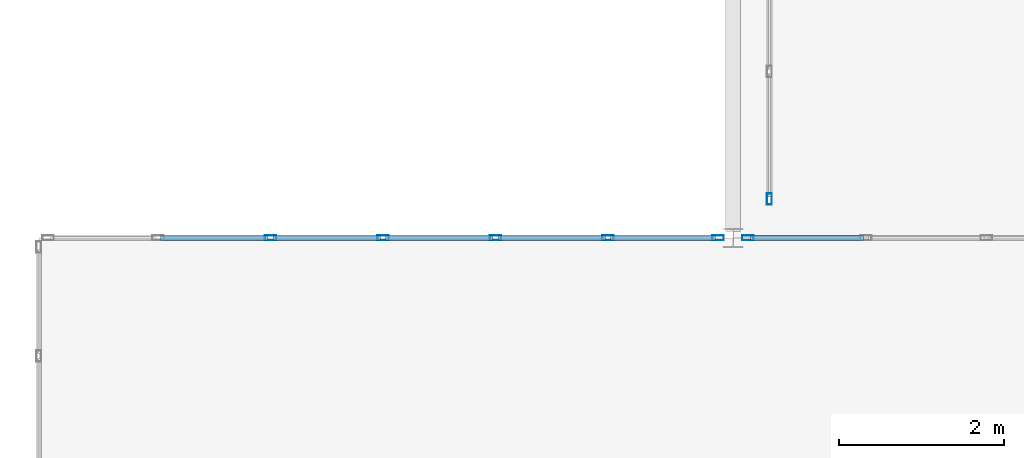
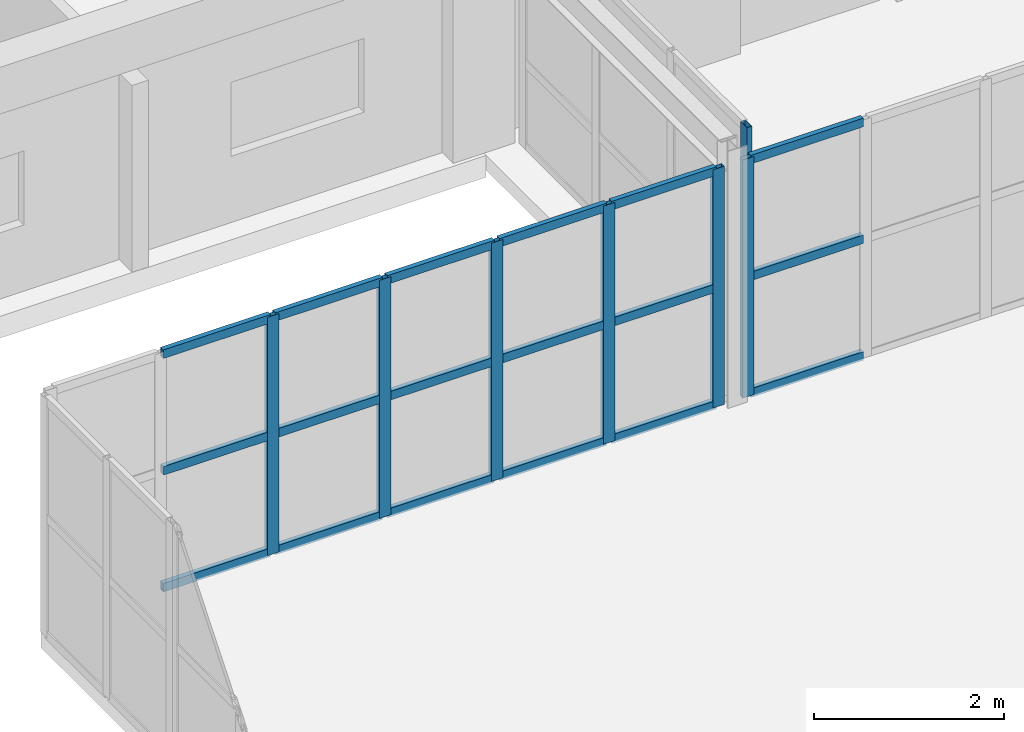
# One storey, part 114 of 200: 25 members, 3 elements without a shape of their own.
"""IFC4 building model written with IfcOpenShell, lengths in metres."""

from ifc_helpers import new_model, si_unit, direction, frame, origin, origin_2d, place, context, subcontext, project, spatial, hollow_rectangle, extrude, material, layer, layer_set, material_profile, profile_set, type_object, element, aggregate, save


model = new_model("IFC4")

# Units and contexts
model_context = context("Model", 3, precision=1e-05, world=origin(), true_north=direction((0.0, 1.0)))
body_context = subcontext(model_context, "Body", "Model", "MODEL_VIEW")
ifc_project = project(units=[si_unit("LENGTHUNIT", "METRE"), si_unit("AREAUNIT", "SQUARE_METRE"), si_unit("VOLUMEUNIT", "CUBIC_METRE"), si_unit("PLANEANGLEUNIT", "RADIAN"), si_unit("MASSUNIT", "GRAM", prefix="KILO")], contexts=[model_context])

# Site, building, storey
site_placement = place(None, origin())
site = spatial("IfcSite", under=ifc_project, at=site_placement, CompositionType="ELEMENT")
building_placement = place(site_placement, origin())
building = spatial("IfcBuilding", under=site, at=building_placement, Name="Trelvath General Hospital", CompositionType="ELEMENT")
storey_placement = place(building_placement, frame((0.0, 0.0, 4.800048828125)))
storey = spatial("IfcBuildingStorey", under=building, at=storey_placement, Name="L01", CompositionType="ELEMENT", Elevation=4.800048828125)

# Curtain wall, members
ifc_material_1 = material(Name="Anodised aluminium and low-E glass", Category="aluminium")
ifc_layer_1 = layer(ifc_material_1, 0.14990234375)
ifc_layer_set_1 = layer_set([ifc_layer_1], Name="Anodised aluminium and low-E glass")
curtain_wall_type_1 = type_object("IfcCurtainWallType", Name="CW CrystalCube 817 306 15", PredefinedType="USERDEFINED", material=ifc_layer_set_1)
curtain_wall_1_placement = place(storey_placement, origin())
curtain_wall_1 = element("IfcCurtainWall", 1, at=curtain_wall_1_placement, inside=storey, type_object=curtain_wall_type_1, Name="Crystal Cube Curtain Wall CUBE-E-T0 N1 L01", ObjectType="Unitised Glazed Curtain Wall", PredefinedType="USERDEFINED")
ifc_material_2 = material(Name="Anodised aluminium", Category="aluminium")
ifc_material_profile_1 = material_profile(ifc_material_2, hollow_rectangle(XDim=0.06005859375, YDim=0.139892578125, WallThickness=0.00390625, at=origin_2d()), Name="RHS60x140x4")
ifc_profile_set_1 = profile_set([ifc_material_profile_1], Name="Anodised aluminium")
member_type_1 = type_object("IfcMemberType", Name="CurtainMullion 60x140", PredefinedType="MULLION", material=ifc_profile_set_1)
member_1_placement = place(storey_placement, frame((95.203369140625, 86.800048828125, 0.0), z_axis=(0.0, 0.0, 1.0), x_axis=(0.0, 1.0, 0.0)))
member_1 = element("IfcMember", 2, at=member_1_placement, type_object=member_type_1, Name="CW-155 mullion 3", PredefinedType="MULLION", context=body_context, shape_type="SweptSolid", body=[
    extrude(hollow_rectangle(XDim=0.06005859375, YDim=0.139892578125, WallThickness=0.00390625, at=origin_2d()), origin(), (0.0, 0.0, 1.0), 3.06005859375),
])
member_2_placement = place(storey_placement, frame((96.56494140625, 86.800048828125, 0.0), z_axis=(0.0, 0.0, 1.0), x_axis=(0.0, 1.0, 0.0)))
member_2 = element("IfcMember", 3, at=member_2_placement, type_object=member_type_1, Name="CW-155 mullion 4", PredefinedType="MULLION", context=body_context, shape_type="SweptSolid", body=[
    extrude(hollow_rectangle(XDim=0.06005859375, YDim=0.139892578125, WallThickness=0.00390625, at=origin_2d()), origin(), (0.0, 0.0, 1.0), 3.06005859375),
])
member_3_placement = place(storey_placement, frame((97.9267578125, 86.800048828125, 0.0), z_axis=(0.0, 0.0, 1.0), x_axis=(0.0, 1.0, 0.0)))
member_3 = element("IfcMember", 4, at=member_3_placement, type_object=member_type_1, Name="CW-155 mullion 5", PredefinedType="MULLION", context=body_context, shape_type="SweptSolid", body=[
    extrude(hollow_rectangle(XDim=0.06005859375, YDim=0.139892578125, WallThickness=0.00390625, at=origin_2d()), origin(), (0.0, 0.0, 1.0), 3.06005859375),
])
member_4_placement = place(storey_placement, frame((99.288330078125, 86.800048828125, 0.0), z_axis=(0.0, 0.0, 1.0), x_axis=(0.0, 1.0, 0.0)))
member_4 = element("IfcMember", 5, at=member_4_placement, type_object=member_type_1, Name="CW-155 mullion 6", PredefinedType="MULLION", context=body_context, shape_type="SweptSolid", body=[
    extrude(hollow_rectangle(XDim=0.06005859375, YDim=0.139892578125, WallThickness=0.00390625, at=origin_2d()), origin(), (0.0, 0.0, 1.0), 3.06005859375),
])
member_5_placement = place(storey_placement, frame((100.6201171875, 86.800048828125, 0.0), z_axis=(0.0, 0.0, 1.0), x_axis=(0.0, 1.0, 0.0)))
member_5 = element("IfcMember", 6, at=member_5_placement, type_object=member_type_1, Name="CW-155 mullion 7", PredefinedType="MULLION", context=body_context, shape_type="SweptSolid", body=[
    extrude(hollow_rectangle(XDim=0.06005859375, YDim=0.139892578125, WallThickness=0.00390625, at=origin_2d()), origin(), (0.0, 0.0, 1.0), 3.06005859375),
])

# Curtain wall, member
ifc_material_3 = material(Name="Anodised aluminium and low-E glass", Category="aluminium")
ifc_layer_2 = layer(ifc_material_3, 0.14990234375)
ifc_layer_set_2 = layer_set([ifc_layer_2], Name="Anodised aluminium and low-E glass")
curtain_wall_type_2 = type_object("IfcCurtainWallType", Name="CW CrystalCube 583 306 15", PredefinedType="USERDEFINED", material=ifc_layer_set_2)
curtain_wall_2_placement = place(storey_placement, origin())
curtain_wall_2 = element("IfcCurtainWall", 7, at=curtain_wall_2_placement, inside=storey, type_object=curtain_wall_type_2, Name="Crystal Cube Curtain Wall CUBE-E-T0 N2 L01", ObjectType="Unitised Glazed Curtain Wall", PredefinedType="USERDEFINED")
member_6_placement = place(storey_placement, frame((100.97998046875, 86.800048828125, 0.0), z_axis=(0.0, 0.0, 1.0), x_axis=(0.0, 1.0, 0.0)))
member_6 = element("IfcMember", 8, at=member_6_placement, type_object=member_type_1, Name="CW-156 mullion 1", PredefinedType="MULLION", context=body_context, shape_type="SweptSolid", body=[
    extrude(hollow_rectangle(XDim=0.06005859375, YDim=0.139892578125, WallThickness=0.00390625, at=origin_2d()), origin(), (0.0, 0.0, 1.0), 3.06005859375),
])

ifc_material_4 = material(Name="Anodised aluminium and low-E glass", Category="aluminium")
ifc_layer_3 = layer(ifc_material_4, 0.139892578125)
ifc_layer_set_3 = layer_set([ifc_layer_3], Name="Anodised aluminium and low-E glass")
curtain_wall_type_3 = type_object("IfcCurtainWallType", Name="CW Bridge 472 311", PredefinedType="USERDEFINED", material=ifc_layer_set_3)
curtain_wall_3_placement = place(storey_placement, origin())
curtain_wall_3 = element("IfcCurtainWall", 9, at=curtain_wall_3_placement, inside=storey, type_object=curtain_wall_type_3, Name="Glazed Bridge Curtain Wall BRG-N-E W L01", ObjectType="Unitised Glazed Curtain Wall", PredefinedType="USERDEFINED")
member_7_placement = place(storey_placement, frame((101.239990234375, 87.27001953125, 0.0), z_axis=(0.0, 0.0, 1.0), x_axis=(-1.0, 0.0, 0.0)))
member_7 = element("IfcMember", 10, at=member_7_placement, type_object=member_type_1, Name="CW-186 mullion 1", PredefinedType="MULLION", context=body_context, shape_type="SweptSolid", body=[
    extrude(hollow_rectangle(XDim=0.06005859375, YDim=0.139892578125, WallThickness=0.00390625, at=origin_2d()), origin(), (0.0, 0.0, 1.0), 3.10986328125),
])
aggregate(curtain_wall_3, [member_7])

# Member
ifc_material_5 = material(Name="Anodised aluminium", Category="aluminium")
ifc_material_profile_2 = material_profile(ifc_material_5, hollow_rectangle(XDim=0.06005859375, YDim=0.110107421875, WallThickness=0.00390625, at=origin_2d()), Name="RHS60x110x4")
ifc_profile_set_2 = profile_set([ifc_material_profile_2], Name="Anodised aluminium")
member_type_2 = type_object("IfcMemberType", Name="CurtainTransom 60x110", PredefinedType="USERDEFINED", material=ifc_profile_set_2)
member_8_placement = place(storey_placement, frame((93.87158203125, 86.800048828125, 0.030029296875), z_axis=(1.0, 0.0, 0.0), x_axis=(0.0, 1.0, 0.0)))
member_8 = element("IfcMember", 11, at=member_8_placement, type_object=member_type_2, Name="CW-155 transom 2.1", ObjectType="TRANSOM", PredefinedType="USERDEFINED", context=body_context, shape_type="SweptSolid", body=[
    extrude(hollow_rectangle(XDim=0.06005859375, YDim=0.110107421875, WallThickness=0.00390625, at=origin_2d()), origin(), (0.0, 0.0, 1.0), 1.3017578125),
])

member_9_placement = place(storey_placement, frame((93.87158203125, 86.800048828125, 1.530029296875), z_axis=(1.0, 0.0, 0.0), x_axis=(0.0, 1.0, 0.0)))
member_9 = element("IfcMember", 12, at=member_9_placement, type_object=member_type_2, Name="CW-155 transom 2.2", ObjectType="TRANSOM", PredefinedType="USERDEFINED", context=body_context, shape_type="SweptSolid", body=[
    extrude(hollow_rectangle(XDim=0.06005859375, YDim=0.110107421875, WallThickness=0.00390625, at=origin_2d()), origin(), (0.0, 0.0, 1.0), 1.3017578125),
])

member_10_placement = place(storey_placement, frame((93.87158203125, 86.800048828125, 3.030029296875), z_axis=(1.0, 0.0, 0.0), x_axis=(0.0, 1.0, 0.0)))
member_10 = element("IfcMember", 13, at=member_10_placement, type_object=member_type_2, Name="CW-155 transom 2.3", ObjectType="TRANSOM", PredefinedType="USERDEFINED", context=body_context, shape_type="SweptSolid", body=[
    extrude(hollow_rectangle(XDim=0.06005859375, YDim=0.110107421875, WallThickness=0.00390625, at=origin_2d()), origin(), (0.0, 0.0, 1.0), 1.3017578125),
])

member_11_placement = place(storey_placement, frame((95.2333984375, 86.800048828125, 0.030029296875), z_axis=(1.0, 0.0, 0.0), x_axis=(0.0, 1.0, 0.0)))
member_11 = element("IfcMember", 14, at=member_11_placement, type_object=member_type_2, Name="CW-155 transom 3.1", ObjectType="TRANSOM", PredefinedType="USERDEFINED", context=body_context, shape_type="SweptSolid", body=[
    extrude(hollow_rectangle(XDim=0.06005859375, YDim=0.110107421875, WallThickness=0.00390625, at=origin_2d()), origin(), (0.0, 0.0, 1.0), 1.301513671875),
])

member_12_placement = place(storey_placement, frame((95.2333984375, 86.800048828125, 1.530029296875), z_axis=(1.0, 0.0, 0.0), x_axis=(0.0, 1.0, 0.0)))
member_12 = element("IfcMember", 15, at=member_12_placement, type_object=member_type_2, Name="CW-155 transom 3.2", ObjectType="TRANSOM", PredefinedType="USERDEFINED", context=body_context, shape_type="SweptSolid", body=[
    extrude(hollow_rectangle(XDim=0.06005859375, YDim=0.110107421875, WallThickness=0.00390625, at=origin_2d()), origin(), (0.0, 0.0, 1.0), 1.301513671875),
])

member_13_placement = place(storey_placement, frame((95.2333984375, 86.800048828125, 3.030029296875), z_axis=(1.0, 0.0, 0.0), x_axis=(0.0, 1.0, 0.0)))
member_13 = element("IfcMember", 16, at=member_13_placement, type_object=member_type_2, Name="CW-155 transom 3.3", ObjectType="TRANSOM", PredefinedType="USERDEFINED", context=body_context, shape_type="SweptSolid", body=[
    extrude(hollow_rectangle(XDim=0.06005859375, YDim=0.110107421875, WallThickness=0.00390625, at=origin_2d()), origin(), (0.0, 0.0, 1.0), 1.301513671875),
])

member_14_placement = place(storey_placement, frame((96.594970703125, 86.800048828125, 0.030029296875), z_axis=(1.0, 0.0, 0.0), x_axis=(0.0, 1.0, 0.0)))
member_14 = element("IfcMember", 17, at=member_14_placement, type_object=member_type_2, Name="CW-155 transom 4.1", ObjectType="TRANSOM", PredefinedType="USERDEFINED", context=body_context, shape_type="SweptSolid", body=[
    extrude(hollow_rectangle(XDim=0.06005859375, YDim=0.110107421875, WallThickness=0.00390625, at=origin_2d()), origin(), (0.0, 0.0, 1.0), 1.3017578125),
])

member_15_placement = place(storey_placement, frame((96.594970703125, 86.800048828125, 1.530029296875), z_axis=(1.0, 0.0, 0.0), x_axis=(0.0, 1.0, 0.0)))
member_15 = element("IfcMember", 18, at=member_15_placement, type_object=member_type_2, Name="CW-155 transom 4.2", ObjectType="TRANSOM", PredefinedType="USERDEFINED", context=body_context, shape_type="SweptSolid", body=[
    extrude(hollow_rectangle(XDim=0.06005859375, YDim=0.110107421875, WallThickness=0.00390625, at=origin_2d()), origin(), (0.0, 0.0, 1.0), 1.3017578125),
])

member_16_placement = place(storey_placement, frame((96.594970703125, 86.800048828125, 3.030029296875), z_axis=(1.0, 0.0, 0.0), x_axis=(0.0, 1.0, 0.0)))
member_16 = element("IfcMember", 19, at=member_16_placement, type_object=member_type_2, Name="CW-155 transom 4.3", ObjectType="TRANSOM", PredefinedType="USERDEFINED", context=body_context, shape_type="SweptSolid", body=[
    extrude(hollow_rectangle(XDim=0.06005859375, YDim=0.110107421875, WallThickness=0.00390625, at=origin_2d()), origin(), (0.0, 0.0, 1.0), 1.3017578125),
])

member_17_placement = place(storey_placement, frame((97.956787109375, 86.800048828125, 0.030029296875), z_axis=(1.0, 0.0, 0.0), x_axis=(0.0, 1.0, 0.0)))
member_17 = element("IfcMember", 20, at=member_17_placement, type_object=member_type_2, Name="CW-155 transom 5.1", ObjectType="TRANSOM", PredefinedType="USERDEFINED", context=body_context, shape_type="SweptSolid", body=[
    extrude(hollow_rectangle(XDim=0.06005859375, YDim=0.110107421875, WallThickness=0.00390625, at=origin_2d()), origin(), (0.0, 0.0, 1.0), 1.301513671875),
])

member_18_placement = place(storey_placement, frame((97.956787109375, 86.800048828125, 1.530029296875), z_axis=(1.0, 0.0, 0.0), x_axis=(0.0, 1.0, 0.0)))
member_18 = element("IfcMember", 21, at=member_18_placement, type_object=member_type_2, Name="CW-155 transom 5.2", ObjectType="TRANSOM", PredefinedType="USERDEFINED", context=body_context, shape_type="SweptSolid", body=[
    extrude(hollow_rectangle(XDim=0.06005859375, YDim=0.110107421875, WallThickness=0.00390625, at=origin_2d()), origin(), (0.0, 0.0, 1.0), 1.301513671875),
])

member_19_placement = place(storey_placement, frame((97.956787109375, 86.800048828125, 3.030029296875), z_axis=(1.0, 0.0, 0.0), x_axis=(0.0, 1.0, 0.0)))
member_19 = element("IfcMember", 22, at=member_19_placement, type_object=member_type_2, Name="CW-155 transom 5.3", ObjectType="TRANSOM", PredefinedType="USERDEFINED", context=body_context, shape_type="SweptSolid", body=[
    extrude(hollow_rectangle(XDim=0.06005859375, YDim=0.110107421875, WallThickness=0.00390625, at=origin_2d()), origin(), (0.0, 0.0, 1.0), 1.301513671875),
])

member_20_placement = place(storey_placement, frame((99.318359375, 86.800048828125, 0.030029296875), z_axis=(1.0, 0.0, 0.0), x_axis=(0.0, 1.0, 0.0)))
member_20 = element("IfcMember", 23, at=member_20_placement, type_object=member_type_2, Name="CW-155 transom 6.1", ObjectType="TRANSOM", PredefinedType="USERDEFINED", context=body_context, shape_type="SweptSolid", body=[
    extrude(hollow_rectangle(XDim=0.06005859375, YDim=0.110107421875, WallThickness=0.00390625, at=origin_2d()), origin(), (0.0, 0.0, 1.0), 1.271728515625),
])

member_21_placement = place(storey_placement, frame((99.318359375, 86.800048828125, 1.530029296875), z_axis=(1.0, 0.0, 0.0), x_axis=(0.0, 1.0, 0.0)))
member_21 = element("IfcMember", 24, at=member_21_placement, type_object=member_type_2, Name="CW-155 transom 6.2", ObjectType="TRANSOM", PredefinedType="USERDEFINED", context=body_context, shape_type="SweptSolid", body=[
    extrude(hollow_rectangle(XDim=0.06005859375, YDim=0.110107421875, WallThickness=0.00390625, at=origin_2d()), origin(), (0.0, 0.0, 1.0), 1.271728515625),
])

member_22_placement = place(storey_placement, frame((99.318359375, 86.800048828125, 3.030029296875), z_axis=(1.0, 0.0, 0.0), x_axis=(0.0, 1.0, 0.0)))
member_22 = element("IfcMember", 25, at=member_22_placement, type_object=member_type_2, Name="CW-155 transom 6.3", ObjectType="TRANSOM", PredefinedType="USERDEFINED", context=body_context, shape_type="SweptSolid", body=[
    extrude(hollow_rectangle(XDim=0.06005859375, YDim=0.110107421875, WallThickness=0.00390625, at=origin_2d()), origin(), (0.0, 0.0, 1.0), 1.271728515625),
])

aggregate(curtain_wall_1, [member_1, member_2, member_3, member_4, member_5, member_8, member_9, member_10, member_11, member_12, member_13, member_14, member_15, member_16, member_17, member_18, member_19, member_20, member_21, member_22])

member_23_placement = place(storey_placement, frame((101.010009765625, 86.800048828125, 0.030029296875), z_axis=(1.0, 0.0, 0.0), x_axis=(0.0, 1.0, 0.0)))
member_23 = element("IfcMember", 26, at=member_23_placement, type_object=member_type_2, Name="CW-156 transom 1.1", ObjectType="TRANSOM", PredefinedType="USERDEFINED", context=body_context, shape_type="SweptSolid", body=[
    extrude(hollow_rectangle(XDim=0.06005859375, YDim=0.110107421875, WallThickness=0.00390625, at=origin_2d()), origin(), (0.0, 0.0, 1.0), 1.367431640625),
])

member_24_placement = place(storey_placement, frame((101.010009765625, 86.800048828125, 1.530029296875), z_axis=(1.0, 0.0, 0.0), x_axis=(0.0, 1.0, 0.0)))
member_24 = element("IfcMember", 27, at=member_24_placement, type_object=member_type_2, Name="CW-156 transom 1.2", ObjectType="TRANSOM", PredefinedType="USERDEFINED", context=body_context, shape_type="SweptSolid", body=[
    extrude(hollow_rectangle(XDim=0.06005859375, YDim=0.110107421875, WallThickness=0.00390625, at=origin_2d()), origin(), (0.0, 0.0, 1.0), 1.367431640625),
])

member_25_placement = place(storey_placement, frame((101.010009765625, 86.800048828125, 3.030029296875), z_axis=(1.0, 0.0, 0.0), x_axis=(0.0, 1.0, 0.0)))
member_25 = element("IfcMember", 28, at=member_25_placement, type_object=member_type_2, Name="CW-156 transom 1.3", ObjectType="TRANSOM", PredefinedType="USERDEFINED", context=body_context, shape_type="SweptSolid", body=[
    extrude(hollow_rectangle(XDim=0.06005859375, YDim=0.110107421875, WallThickness=0.00390625, at=origin_2d()), origin(), (0.0, 0.0, 1.0), 1.367431640625),
])

aggregate(curtain_wall_2, [member_6, member_23, member_24, member_25])

save(model, "model.ifc")
